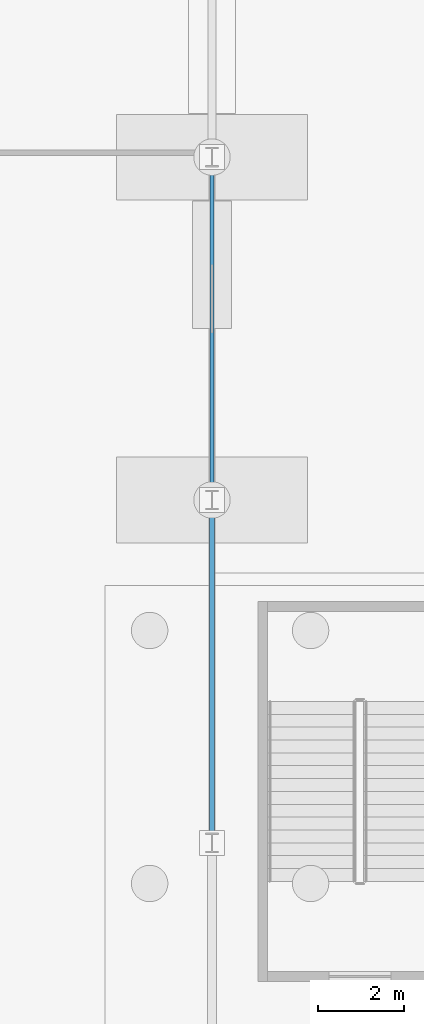
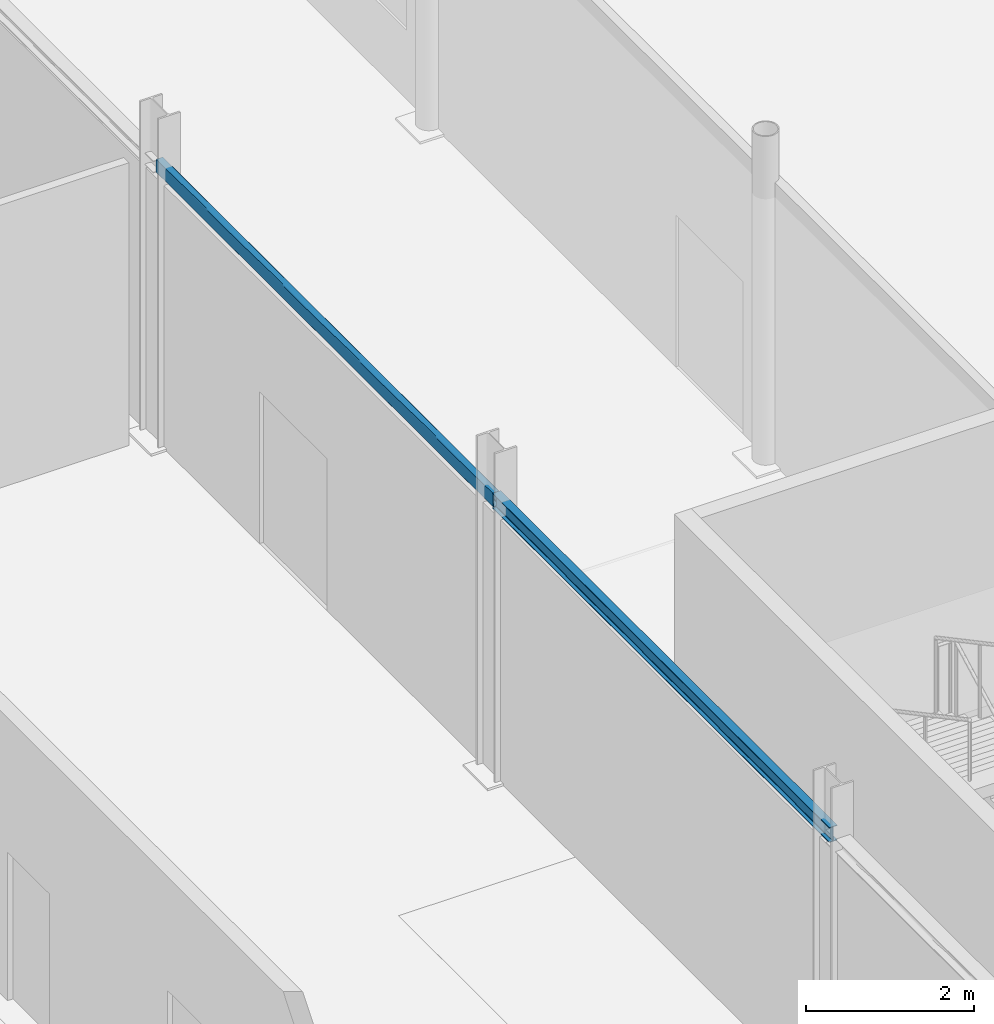
# One storey, part 33 of 101: 2 beams.
"""IFC4 building model written with IfcOpenShell, lengths in metres."""

from ifc_helpers import new_model, si_unit, derived_unit, direction, frame, origin, origin_2d, place, context, subcontext, project, spatial, hollow_rectangle, i_section, extrude, material, material_profile, profile_set, type_object, element, save


model = new_model("IFC4")

# Units and contexts
model_context = context("Model", 3, precision=1e-05, world=origin(), true_north=direction((0.0, 1.0)))
body_context = subcontext(model_context, "Body", "Model", "MODEL_VIEW")
ifc_project = project(units=[si_unit("LENGTHUNIT", "METRE"), si_unit("AREAUNIT", "SQUARE_METRE"), si_unit("VOLUMEUNIT", "CUBIC_METRE"), si_unit("PLANEANGLEUNIT", "RADIAN"), si_unit("MASSUNIT", "GRAM", prefix="KILO"), derived_unit("THERMALTRANSMITTANCEUNIT", [(si_unit("POWERUNIT", "WATT"), 1), (si_unit("LENGTHUNIT", "METRE"), -2), (si_unit("THERMODYNAMICTEMPERATUREUNIT", "KELVIN"), -1)])], contexts=[model_context])

# Site, building, storey
site_placement = place(None, origin())
site = spatial("IfcSite", under=ifc_project, at=site_placement, CompositionType="ELEMENT")
building_placement = place(site_placement, origin())
building = spatial("IfcBuilding", under=site, at=building_placement, Name="Keldorne Ridge Multi-Sports Centre", CompositionType="ELEMENT")
storey_placement = place(building_placement, origin())
storey = spatial("IfcBuildingStorey", under=building, at=storey_placement, Name="L00", CompositionType="ELEMENT", Elevation=0.0)

# Beams
ifc_material = material(Name="Steel S355", Category="steel")
ifc_material_profile_1 = material_profile(ifc_material, i_section(OverallWidth=0.110107421875, OverallDepth=0.219970703125, WebThickness=0.005859375, FlangeThickness=0.00927734375, FilletRadius=0.011962890625, at=origin_2d()), Name="IPE 220")
ifc_profile_set_1 = profile_set([ifc_material_profile_1], Name="Steel S355")
beam_type_1 = type_object("IfcBeamType", Name="BM-LN-02", PredefinedType="LINTEL", material=ifc_profile_set_1)
beam_1_placement = place(storey_placement, frame((78.0, 18.0, 3.949951171875), z_axis=(0.0, 1.0, 0.0), x_axis=(-1.0, 0.0, 0.0)))
element("IfcBeam", 1, at=beam_1_placement, inside=storey, type_object=beam_type_1, Name="Opening head lintel beam LNT-02", PredefinedType="LINTEL", context=body_context, shape_type="SweptSolid", body=[
    extrude(i_section(OverallWidth=0.110107421875, OverallDepth=0.219970703125, WebThickness=0.005859375, FlangeThickness=0.00927734375, FilletRadius=0.011962890625, at=origin_2d()), origin(), (0.0, 0.0, 1.0), 8.0),
])
ifc_material_profile_2 = material_profile(ifc_material, hollow_rectangle(XDim=0.10009765625, YDim=0.199951171875, WallThickness=0.008056640625, InnerFilletRadius=0.008056640625, OuterFilletRadius=0.01611328125, at=origin_2d()), Name="RHS 200x100x8")
ifc_profile_set_2 = profile_set([ifc_material_profile_2], Name="Steel S355")
beam_type_2 = type_object("IfcBeamType", Name="BM-LN-03", PredefinedType="LINTEL", material=ifc_profile_set_2)
beam_2_placement = place(storey_placement, frame((78.0, 26.0, 3.949951171875), z_axis=(0.0, 1.0, 0.0), x_axis=(-1.0, 0.0, 0.0)))
element("IfcBeam", 2, at=beam_2_placement, inside=storey, type_object=beam_type_2, Name="Opening head lintel beam LNT-03", PredefinedType="LINTEL", context=body_context, shape_type="SweptSolid", body=[
    extrude(hollow_rectangle(XDim=0.10009765625, YDim=0.199951171875, WallThickness=0.008056640625, InnerFilletRadius=0.008056640625, OuterFilletRadius=0.01611328125, at=origin_2d()), origin(), (0.0, 0.0, 1.0), 8.0),
])

save(model, "model.ifc")
